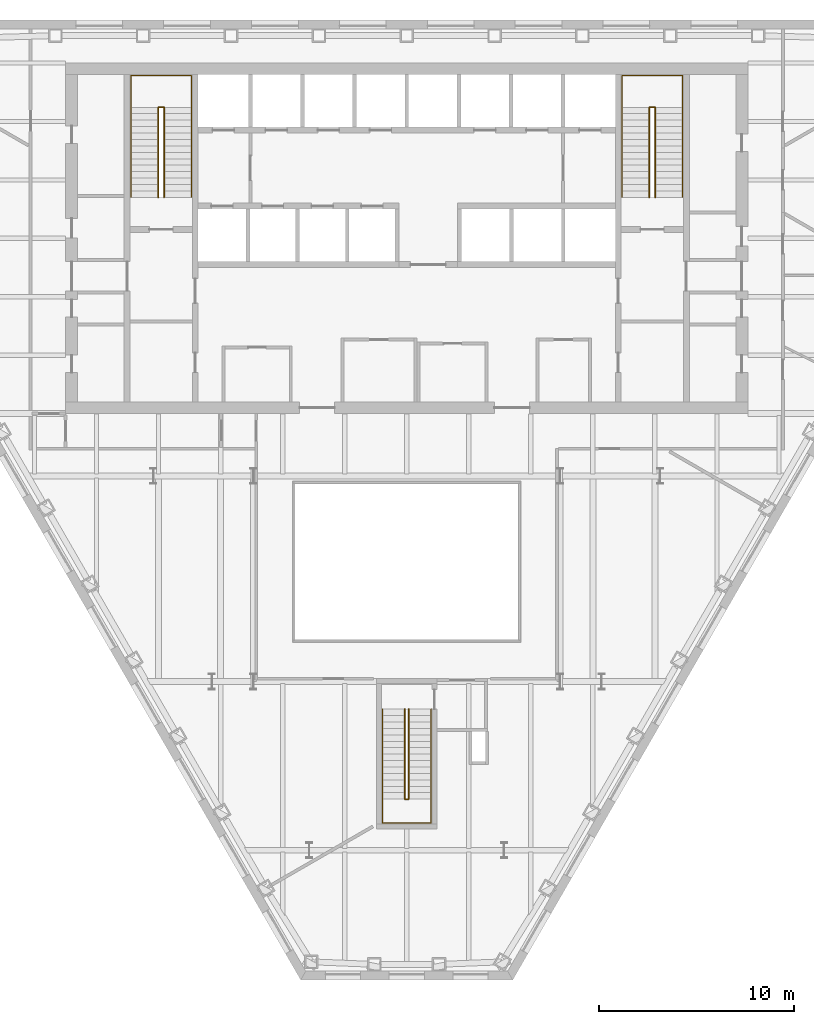
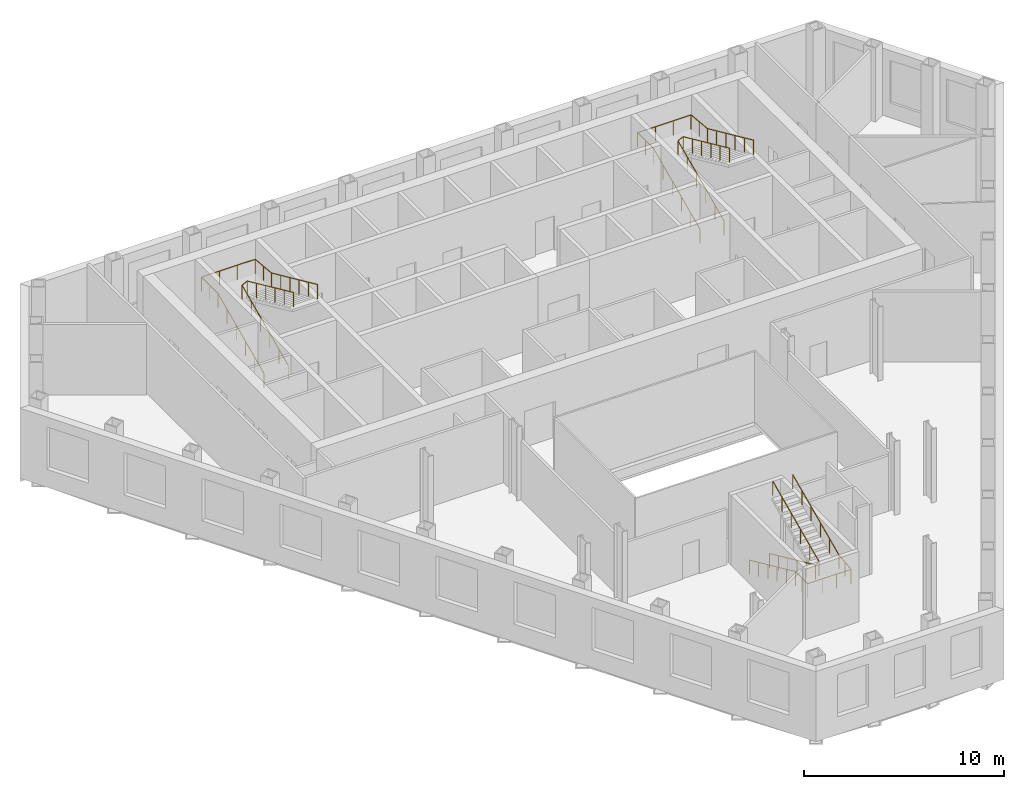
# One storey, part 11 of 11: 6 railings.
"""IFC4 building model written with IfcOpenShell, lengths in metres."""

from ifc_helpers import new_model, si_unit, direction, frame, origin, origin_2d, place, context, subcontext, project, spatial, circle, extrude, material, type_object, element, save


model = new_model("IFC4")

# Units and contexts
model_context = context("Model", 3, precision=1e-05, world=origin(), true_north=direction((0.0, 1.0)))
body_context = subcontext(model_context, "Body", "Model", "MODEL_VIEW")
ifc_project = project(units=[si_unit("LENGTHUNIT", "METRE"), si_unit("AREAUNIT", "SQUARE_METRE"), si_unit("VOLUMEUNIT", "CUBIC_METRE"), si_unit("PLANEANGLEUNIT", "RADIAN"), si_unit("MASSUNIT", "GRAM", prefix="KILO")], contexts=[model_context])

# Site, building, storey
site_placement = place(None, origin())
site = spatial("IfcSite", under=ifc_project, at=site_placement, CompositionType="ELEMENT")
building_placement = place(site_placement, origin())
building = spatial("IfcBuilding", under=site, at=building_placement, Name="Njiva Tower", CompositionType="ELEMENT")
storey_placement = place(building_placement, frame((0.0, 0.0, 69.3)))
storey = spatial("IfcBuildingStorey", under=building, at=storey_placement, Name="L14", CompositionType="ELEMENT", Elevation=69.3)

# Railings
ifc_material = material(Name="Stainless steel", Category="steel")
railing_type = type_object("IfcRailingType", Name="RL1 Stair handrail 900", PredefinedType="HANDRAIL", material=ifc_material)
railing_1_placement = place(storey_placement, frame((-14.15, 11.1, 0.15)))
element("IfcRailing", 1, at=railing_1_placement, inside=storey, type_object=railing_type, Name="Stair A handrail", PredefinedType="HANDRAIL", context=body_context, shape_type="SweptSolid", body=[
    extrude(circle(Radius=0.024, at=origin_2d()), frame((0.0, 0.0, 0.876), z_axis=(0.0, 0.910366477463, 0.413802944301), x_axis=(-1.0, 0.0, 0.0)), (0.0, 0.0, 1.0), 5.0749),
    extrude(circle(Radius=0.024, at=origin_2d()), frame((0.0, 4.62, 2.976), z_axis=(0.0, 1.0, 0.0), x_axis=(-1.0, 0.0, 0.0)), (0.0, 0.0, 1.0), 1.63),
    extrude(circle(Radius=0.024, at=origin_2d()), frame((0.0, 6.25, 2.976), z_axis=(1.0, 0.0, 0.0), x_axis=(0.0, 1.0, 0.0)), (0.0, 0.0, 1.0), 3.1),
    extrude(circle(Radius=0.024, at=origin_2d()), frame((3.1, 6.25, 2.976), z_axis=(0.0, -0.995792447047, 0.091637341753), x_axis=(1.0, 0.0, 0.0)), (0.0, 0.0, 1.0), 1.6369),
    extrude(circle(Radius=0.024, at=origin_2d()), frame((3.1, 4.62, 3.126), z_axis=(0.0, -0.910366477463, 0.413802944301), x_axis=(1.0, 0.0, 0.0)), (0.0, 0.0, 1.0), 5.0749),
    extrude(circle(Radius=0.021, at=origin_2d()), origin(), (0.0, 0.0, 1.0), 0.852),
    extrude(circle(Radius=0.021, at=origin_2d()), frame((0.0, 0.924, 0.42)), (0.0, 0.0, 1.0), 0.852),
    extrude(circle(Radius=0.021, at=origin_2d()), frame((0.0, 1.848, 0.84)), (0.0, 0.0, 1.0), 0.852),
    extrude(circle(Radius=0.021, at=origin_2d()), frame((0.0, 2.772, 1.26)), (0.0, 0.0, 1.0), 0.852),
    extrude(circle(Radius=0.021, at=origin_2d()), frame((0.0, 3.696, 1.68)), (0.0, 0.0, 1.0), 0.852),
    extrude(circle(Radius=0.021, at=origin_2d()), frame((0.0, 4.62, 2.1)), (0.0, 0.0, 1.0), 0.852),
    extrude(circle(Radius=0.021, at=origin_2d()), frame((0.0, 5.435, 2.1)), (0.0, 0.0, 1.0), 0.852),
    extrude(circle(Radius=0.021, at=origin_2d()), frame((0.0, 6.25, 2.1)), (0.0, 0.0, 1.0), 0.852),
    extrude(circle(Radius=0.021, at=origin_2d()), frame((1.0333, 6.25, 2.1)), (0.0, 0.0, 1.0), 0.852),
    extrude(circle(Radius=0.021, at=origin_2d()), frame((2.0667, 6.25, 2.1)), (0.0, 0.0, 1.0), 0.852),
    extrude(circle(Radius=0.021, at=origin_2d()), frame((3.1, 6.25, 2.1)), (0.0, 0.0, 1.0), 0.852),
    extrude(circle(Radius=0.021, at=origin_2d()), frame((3.1, 5.435, 2.175)), (0.0, 0.0, 1.0), 0.852),
    extrude(circle(Radius=0.021, at=origin_2d()), frame((3.1, 4.62, 2.25)), (0.0, 0.0, 1.0), 0.852),
    extrude(circle(Radius=0.021, at=origin_2d()), frame((3.1, 3.696, 2.67)), (0.0, 0.0, 1.0), 0.852),
    extrude(circle(Radius=0.021, at=origin_2d()), frame((3.1, 2.772, 3.09)), (0.0, 0.0, 1.0), 0.852),
    extrude(circle(Radius=0.021, at=origin_2d()), frame((3.1, 1.848, 3.51)), (0.0, 0.0, 1.0), 0.852),
    extrude(circle(Radius=0.021, at=origin_2d()), frame((3.1, 0.924, 3.93)), (0.0, 0.0, 1.0), 0.852),
    extrude(circle(Radius=0.021, at=origin_2d()), frame((3.1, 0.0, 4.35)), (0.0, 0.0, 1.0), 0.852),
])
railing_2_placement = place(storey_placement, frame((-12.75, 11.1, 0.15)))
element("IfcRailing", 2, at=railing_2_placement, inside=storey, type_object=railing_type, Name="Stair A handrail", PredefinedType="HANDRAIL", context=body_context, shape_type="SweptSolid", body=[
    extrude(circle(Radius=0.024, at=origin_2d()), frame((0.0, 0.0, 0.876), z_axis=(0.0, 0.910366477463, 0.413802944301), x_axis=(-1.0, 0.0, 0.0)), (0.0, 0.0, 1.0), 5.0749),
    extrude(circle(Radius=0.024, at=origin_2d()), frame((0.0, 4.62, 2.976), z_axis=(0.894427191, 0.0, 0.4472135955), x_axis=(0.0, 1.0, 0.0)), (0.0, 0.0, 1.0), 0.3354),
    extrude(circle(Radius=0.024, at=origin_2d()), frame((0.3, 4.62, 3.126), z_axis=(0.0, -0.910366477463, 0.413802944301), x_axis=(1.0, 0.0, 0.0)), (0.0, 0.0, 1.0), 5.0749),
    extrude(circle(Radius=0.021, at=origin_2d()), origin(), (0.0, 0.0, 1.0), 0.852),
    extrude(circle(Radius=0.021, at=origin_2d()), frame((0.0, 0.924, 0.42)), (0.0, 0.0, 1.0), 0.852),
    extrude(circle(Radius=0.021, at=origin_2d()), frame((0.0, 1.848, 0.84)), (0.0, 0.0, 1.0), 0.852),
    extrude(circle(Radius=0.021, at=origin_2d()), frame((0.0, 2.772, 1.26)), (0.0, 0.0, 1.0), 0.852),
    extrude(circle(Radius=0.021, at=origin_2d()), frame((0.0, 3.696, 1.68)), (0.0, 0.0, 1.0), 0.852),
    extrude(circle(Radius=0.021, at=origin_2d()), frame((0.0, 4.62, 2.1)), (0.0, 0.0, 1.0), 0.852),
    extrude(circle(Radius=0.021, at=origin_2d()), frame((0.3, 4.62, 2.25)), (0.0, 0.0, 1.0), 0.852),
    extrude(circle(Radius=0.021, at=origin_2d()), frame((0.3, 3.696, 2.67)), (0.0, 0.0, 1.0), 0.852),
    extrude(circle(Radius=0.021, at=origin_2d()), frame((0.3, 2.772, 3.09)), (0.0, 0.0, 1.0), 0.852),
    extrude(circle(Radius=0.021, at=origin_2d()), frame((0.3, 1.848, 3.51)), (0.0, 0.0, 1.0), 0.852),
    extrude(circle(Radius=0.021, at=origin_2d()), frame((0.3, 0.924, 3.93)), (0.0, 0.0, 1.0), 0.852),
    extrude(circle(Radius=0.021, at=origin_2d()), frame((0.3, 0.0, 4.35)), (0.0, 0.0, 1.0), 0.852),
])
railing_3_placement = place(storey_placement, frame((11.05, 11.1, 0.15)))
element("IfcRailing", 3, at=railing_3_placement, inside=storey, type_object=railing_type, Name="Stair B handrail", PredefinedType="HANDRAIL", context=body_context, shape_type="SweptSolid", body=[
    extrude(circle(Radius=0.024, at=origin_2d()), frame((0.0, 0.0, 0.876), z_axis=(0.0, 0.910366477463, 0.413802944301), x_axis=(-1.0, 0.0, 0.0)), (0.0, 0.0, 1.0), 5.0749),
    extrude(circle(Radius=0.024, at=origin_2d()), frame((0.0, 4.62, 2.976), z_axis=(0.0, 1.0, 0.0), x_axis=(-1.0, 0.0, 0.0)), (0.0, 0.0, 1.0), 1.63),
    extrude(circle(Radius=0.024, at=origin_2d()), frame((0.0, 6.25, 2.976), z_axis=(1.0, 0.0, 0.0), x_axis=(0.0, 1.0, 0.0)), (0.0, 0.0, 1.0), 3.1),
    extrude(circle(Radius=0.024, at=origin_2d()), frame((3.1, 6.25, 2.976), z_axis=(0.0, -0.995792447047, 0.091637341753), x_axis=(1.0, 0.0, 0.0)), (0.0, 0.0, 1.0), 1.6369),
    extrude(circle(Radius=0.024, at=origin_2d()), frame((3.1, 4.62, 3.126), z_axis=(0.0, -0.910366477463, 0.413802944301), x_axis=(1.0, 0.0, 0.0)), (0.0, 0.0, 1.0), 5.0749),
    extrude(circle(Radius=0.021, at=origin_2d()), origin(), (0.0, 0.0, 1.0), 0.852),
    extrude(circle(Radius=0.021, at=origin_2d()), frame((0.0, 0.924, 0.42)), (0.0, 0.0, 1.0), 0.852),
    extrude(circle(Radius=0.021, at=origin_2d()), frame((0.0, 1.848, 0.84)), (0.0, 0.0, 1.0), 0.852),
    extrude(circle(Radius=0.021, at=origin_2d()), frame((0.0, 2.772, 1.26)), (0.0, 0.0, 1.0), 0.852),
    extrude(circle(Radius=0.021, at=origin_2d()), frame((0.0, 3.696, 1.68)), (0.0, 0.0, 1.0), 0.852),
    extrude(circle(Radius=0.021, at=origin_2d()), frame((0.0, 4.62, 2.1)), (0.0, 0.0, 1.0), 0.852),
    extrude(circle(Radius=0.021, at=origin_2d()), frame((0.0, 5.435, 2.1)), (0.0, 0.0, 1.0), 0.852),
    extrude(circle(Radius=0.021, at=origin_2d()), frame((0.0, 6.25, 2.1)), (0.0, 0.0, 1.0), 0.852),
    extrude(circle(Radius=0.021, at=origin_2d()), frame((1.0333, 6.25, 2.1)), (0.0, 0.0, 1.0), 0.852),
    extrude(circle(Radius=0.021, at=origin_2d()), frame((2.0667, 6.25, 2.1)), (0.0, 0.0, 1.0), 0.852),
    extrude(circle(Radius=0.021, at=origin_2d()), frame((3.1, 6.25, 2.1)), (0.0, 0.0, 1.0), 0.852),
    extrude(circle(Radius=0.021, at=origin_2d()), frame((3.1, 5.435, 2.175)), (0.0, 0.0, 1.0), 0.852),
    extrude(circle(Radius=0.021, at=origin_2d()), frame((3.1, 4.62, 2.25)), (0.0, 0.0, 1.0), 0.852),
    extrude(circle(Radius=0.021, at=origin_2d()), frame((3.1, 3.696, 2.67)), (0.0, 0.0, 1.0), 0.852),
    extrude(circle(Radius=0.021, at=origin_2d()), frame((3.1, 2.772, 3.09)), (0.0, 0.0, 1.0), 0.852),
    extrude(circle(Radius=0.021, at=origin_2d()), frame((3.1, 1.848, 3.51)), (0.0, 0.0, 1.0), 0.852),
    extrude(circle(Radius=0.021, at=origin_2d()), frame((3.1, 0.924, 3.93)), (0.0, 0.0, 1.0), 0.852),
    extrude(circle(Radius=0.021, at=origin_2d()), frame((3.1, 0.0, 4.35)), (0.0, 0.0, 1.0), 0.852),
])
railing_4_placement = place(storey_placement, frame((12.45, 11.1, 0.15)))
element("IfcRailing", 4, at=railing_4_placement, inside=storey, type_object=railing_type, Name="Stair B handrail", PredefinedType="HANDRAIL", context=body_context, shape_type="SweptSolid", body=[
    extrude(circle(Radius=0.024, at=origin_2d()), frame((0.0, 0.0, 0.876), z_axis=(0.0, 0.910366477463, 0.413802944301), x_axis=(-1.0, 0.0, 0.0)), (0.0, 0.0, 1.0), 5.0749),
    extrude(circle(Radius=0.024, at=origin_2d()), frame((0.0, 4.62, 2.976), z_axis=(0.894427191, 0.0, 0.4472135955), x_axis=(0.0, 1.0, 0.0)), (0.0, 0.0, 1.0), 0.3354),
    extrude(circle(Radius=0.024, at=origin_2d()), frame((0.3, 4.62, 3.126), z_axis=(0.0, -0.910366477463, 0.413802944301), x_axis=(1.0, 0.0, 0.0)), (0.0, 0.0, 1.0), 5.0749),
    extrude(circle(Radius=0.021, at=origin_2d()), origin(), (0.0, 0.0, 1.0), 0.852),
    extrude(circle(Radius=0.021, at=origin_2d()), frame((0.0, 0.924, 0.42)), (0.0, 0.0, 1.0), 0.852),
    extrude(circle(Radius=0.021, at=origin_2d()), frame((0.0, 1.848, 0.84)), (0.0, 0.0, 1.0), 0.852),
    extrude(circle(Radius=0.021, at=origin_2d()), frame((0.0, 2.772, 1.26)), (0.0, 0.0, 1.0), 0.852),
    extrude(circle(Radius=0.021, at=origin_2d()), frame((0.0, 3.696, 1.68)), (0.0, 0.0, 1.0), 0.852),
    extrude(circle(Radius=0.021, at=origin_2d()), frame((0.0, 4.62, 2.1)), (0.0, 0.0, 1.0), 0.852),
    extrude(circle(Radius=0.021, at=origin_2d()), frame((0.3, 4.62, 2.25)), (0.0, 0.0, 1.0), 0.852),
    extrude(circle(Radius=0.021, at=origin_2d()), frame((0.3, 3.696, 2.67)), (0.0, 0.0, 1.0), 0.852),
    extrude(circle(Radius=0.021, at=origin_2d()), frame((0.3, 2.772, 3.09)), (0.0, 0.0, 1.0), 0.852),
    extrude(circle(Radius=0.021, at=origin_2d()), frame((0.3, 1.848, 3.51)), (0.0, 0.0, 1.0), 0.852),
    extrude(circle(Radius=0.021, at=origin_2d()), frame((0.3, 0.924, 3.93)), (0.0, 0.0, 1.0), 0.852),
    extrude(circle(Radius=0.021, at=origin_2d()), frame((0.3, 0.0, 4.35)), (0.0, 0.0, 1.0), 0.852),
])
railing_5_placement = place(storey_placement, frame((-1.25, -15.16, 0.15)))
element("IfcRailing", 5, at=railing_5_placement, inside=storey, type_object=railing_type, Name="Stair C handrail", PredefinedType="HANDRAIL", context=body_context, shape_type="SweptSolid", body=[
    extrude(circle(Radius=0.024, at=origin_2d()), frame((0.0, 0.0, 0.876), z_axis=(0.0, -0.910366477463, 0.413802944301), x_axis=(1.0, 0.0, 0.0)), (0.0, 0.0, 1.0), 5.0749),
    extrude(circle(Radius=0.024, at=origin_2d()), frame((0.0, -4.62, 2.976), z_axis=(0.0, -1.0, 0.0), x_axis=(1.0, 0.0, 0.0)), (0.0, 0.0, 1.0), 1.22),
    extrude(circle(Radius=0.024, at=origin_2d()), frame((0.0, -5.84, 2.976), z_axis=(1.0, 0.0, 0.0), x_axis=(0.0, 1.0, 0.0)), (0.0, 0.0, 1.0), 2.5),
    extrude(circle(Radius=0.024, at=origin_2d()), frame((2.5, -5.84, 2.976), z_axis=(0.0, 0.992526177815, 0.122031907108), x_axis=(-1.0, 0.0, 0.0)), (0.0, 0.0, 1.0), 1.2292),
    extrude(circle(Radius=0.024, at=origin_2d()), frame((2.5, -4.62, 3.126), z_axis=(0.0, 0.910366477463, 0.413802944301), x_axis=(-1.0, 0.0, 0.0)), (0.0, 0.0, 1.0), 5.0749),
    extrude(circle(Radius=0.021, at=origin_2d()), origin(), (0.0, 0.0, 1.0), 0.852),
    extrude(circle(Radius=0.021, at=origin_2d()), frame((0.0, -0.924, 0.42)), (0.0, 0.0, 1.0), 0.852),
    extrude(circle(Radius=0.021, at=origin_2d()), frame((0.0, -1.848, 0.84)), (0.0, 0.0, 1.0), 0.852),
    extrude(circle(Radius=0.021, at=origin_2d()), frame((0.0, -2.772, 1.26)), (0.0, 0.0, 1.0), 0.852),
    extrude(circle(Radius=0.021, at=origin_2d()), frame((0.0, -3.696, 1.68)), (0.0, 0.0, 1.0), 0.852),
    extrude(circle(Radius=0.021, at=origin_2d()), frame((0.0, -4.62, 2.1)), (0.0, 0.0, 1.0), 0.852),
    extrude(circle(Radius=0.021, at=origin_2d()), frame((0.0, -5.23, 2.1)), (0.0, 0.0, 1.0), 0.852),
    extrude(circle(Radius=0.021, at=origin_2d()), frame((0.0, -5.84, 2.1)), (0.0, 0.0, 1.0), 0.852),
    extrude(circle(Radius=0.021, at=origin_2d()), frame((0.8333, -5.84, 2.1)), (0.0, 0.0, 1.0), 0.852),
    extrude(circle(Radius=0.021, at=origin_2d()), frame((1.6667, -5.84, 2.1)), (0.0, 0.0, 1.0), 0.852),
    extrude(circle(Radius=0.021, at=origin_2d()), frame((2.5, -5.84, 2.1)), (0.0, 0.0, 1.0), 0.852),
    extrude(circle(Radius=0.021, at=origin_2d()), frame((2.5, -5.23, 2.175)), (0.0, 0.0, 1.0), 0.852),
    extrude(circle(Radius=0.021, at=origin_2d()), frame((2.5, -4.62, 2.25)), (0.0, 0.0, 1.0), 0.852),
    extrude(circle(Radius=0.021, at=origin_2d()), frame((2.5, -3.696, 2.67)), (0.0, 0.0, 1.0), 0.852),
    extrude(circle(Radius=0.021, at=origin_2d()), frame((2.5, -2.772, 3.09)), (0.0, 0.0, 1.0), 0.852),
    extrude(circle(Radius=0.021, at=origin_2d()), frame((2.5, -1.848, 3.51)), (0.0, 0.0, 1.0), 0.852),
    extrude(circle(Radius=0.021, at=origin_2d()), frame((2.5, -0.924, 3.93)), (0.0, 0.0, 1.0), 0.852),
    extrude(circle(Radius=0.021, at=origin_2d()), frame((2.5, 0.0, 4.35)), (0.0, 0.0, 1.0), 0.852),
])
railing_6_placement = place(storey_placement, frame((-0.1, -15.16, 0.15)))
element("IfcRailing", 6, at=railing_6_placement, inside=storey, type_object=railing_type, Name="Stair C handrail", PredefinedType="HANDRAIL", context=body_context, shape_type="SweptSolid", body=[
    extrude(circle(Radius=0.024, at=origin_2d()), frame((0.0, 0.0, 0.876), z_axis=(0.0, -0.910366477463, 0.413802944301), x_axis=(1.0, 0.0, 0.0)), (0.0, 0.0, 1.0), 5.0749),
    extrude(circle(Radius=0.024, at=origin_2d()), frame((0.0, -4.62, 2.976), z_axis=(0.8, 0.0, 0.6), x_axis=(0.0, 1.0, 0.0)), (0.0, 0.0, 1.0), 0.25),
    extrude(circle(Radius=0.024, at=origin_2d()), frame((0.2, -4.62, 3.126), z_axis=(0.0, 0.910366477463, 0.413802944301), x_axis=(-1.0, 0.0, 0.0)), (0.0, 0.0, 1.0), 5.0749),
    extrude(circle(Radius=0.021, at=origin_2d()), origin(), (0.0, 0.0, 1.0), 0.852),
    extrude(circle(Radius=0.021, at=origin_2d()), frame((0.0, -0.924, 0.42)), (0.0, 0.0, 1.0), 0.852),
    extrude(circle(Radius=0.021, at=origin_2d()), frame((0.0, -1.848, 0.84)), (0.0, 0.0, 1.0), 0.852),
    extrude(circle(Radius=0.021, at=origin_2d()), frame((0.0, -2.772, 1.26)), (0.0, 0.0, 1.0), 0.852),
    extrude(circle(Radius=0.021, at=origin_2d()), frame((0.0, -3.696, 1.68)), (0.0, 0.0, 1.0), 0.852),
    extrude(circle(Radius=0.021, at=origin_2d()), frame((0.0, -4.62, 2.1)), (0.0, 0.0, 1.0), 0.852),
    extrude(circle(Radius=0.021, at=origin_2d()), frame((0.2, -4.62, 2.25)), (0.0, 0.0, 1.0), 0.852),
    extrude(circle(Radius=0.021, at=origin_2d()), frame((0.2, -3.696, 2.67)), (0.0, 0.0, 1.0), 0.852),
    extrude(circle(Radius=0.021, at=origin_2d()), frame((0.2, -2.772, 3.09)), (0.0, 0.0, 1.0), 0.852),
    extrude(circle(Radius=0.021, at=origin_2d()), frame((0.2, -1.848, 3.51)), (0.0, 0.0, 1.0), 0.852),
    extrude(circle(Radius=0.021, at=origin_2d()), frame((0.2, -0.924, 3.93)), (0.0, 0.0, 1.0), 0.852),
    extrude(circle(Radius=0.021, at=origin_2d()), frame((0.2, 0.0, 4.35)), (0.0, 0.0, 1.0), 0.852),
])

save(model, "model.ifc")
